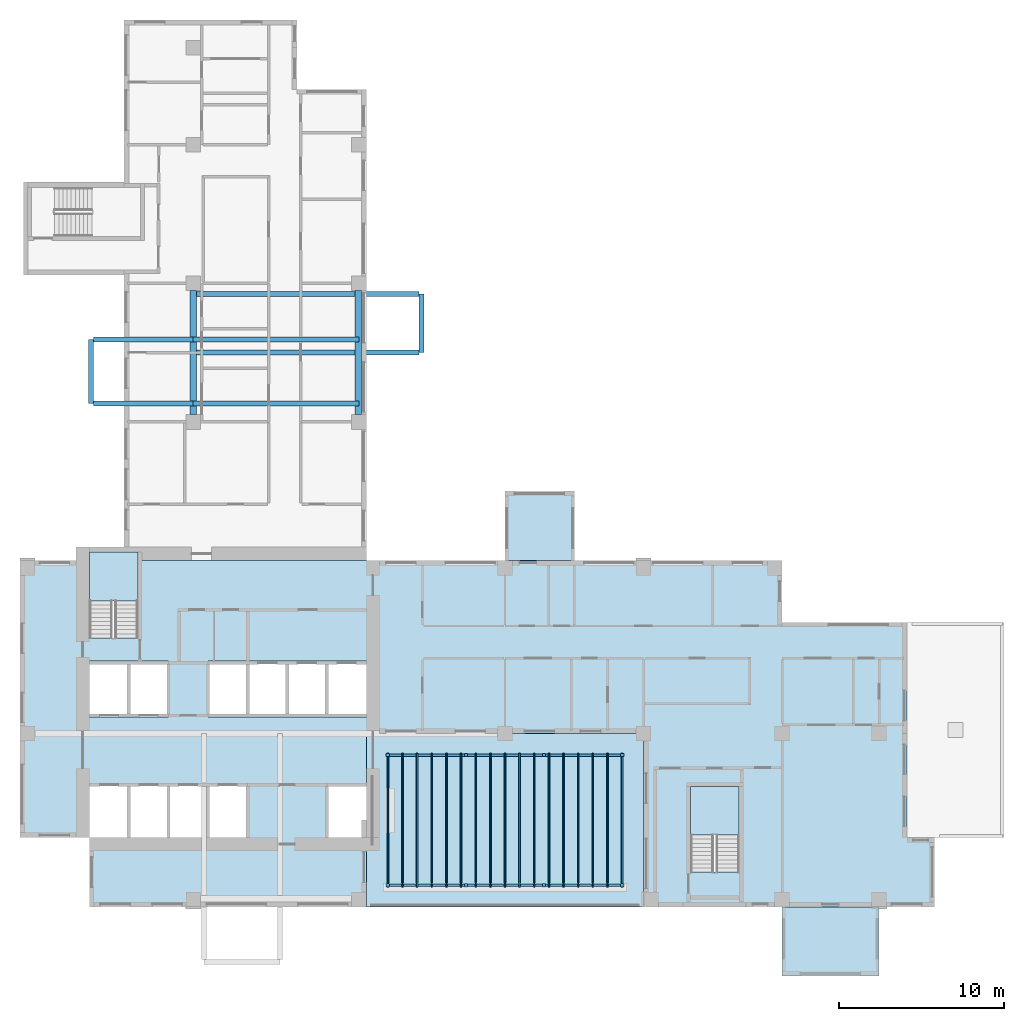
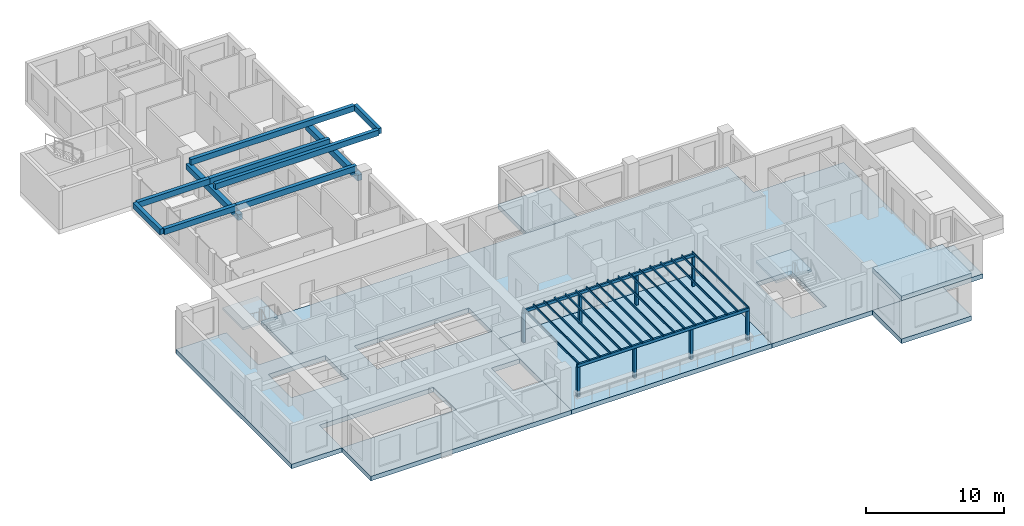
# One storey, part 2 of 13: 27 members, 10 beams, 7 slabs, 2 elements without a shape of their own.
"""IFC4 building model written with IfcOpenShell, lengths in metres."""

from ifc_helpers import new_model, si_unit, direction, frame, origin, origin_2d, place, context, subcontext, project, spatial, polyline, rectangle, outline, extrude, source, transform, mapped, material, layer, layer_set, material_profile, profile_set, type_object, element, aggregate, save


model = new_model("IFC4")

# Units and contexts
model_context = context("Model", 3, precision=1e-05, world=origin(), true_north=direction((0.0, 1.0)))
body_context = subcontext(model_context, "Body", "Model", "MODEL_VIEW")
ifc_project = project(units=[si_unit("LENGTHUNIT", "METRE"), si_unit("AREAUNIT", "SQUARE_METRE"), si_unit("VOLUMEUNIT", "CUBIC_METRE"), si_unit("PLANEANGLEUNIT", "RADIAN"), si_unit("MASSUNIT", "GRAM", prefix="KILO")], contexts=[model_context])

# Site, building, storey
site_placement = place(None, origin())
site = spatial("IfcSite", under=ifc_project, at=site_placement, CompositionType="ELEMENT")
building_placement = place(site_placement, origin())
building = spatial("IfcBuilding", under=site, at=building_placement, Name="Aurelian Terraces", CompositionType="ELEMENT")
storey_placement = place(building_placement, frame((0.0, 0.0, 204.4)))
storey = spatial("IfcBuildingStorey", under=building, at=storey_placement, Name="L45", CompositionType="ELEMENT", Elevation=204.4)

# Beams
ifc_material_1 = material(Name="Concrete fc' 40 MPa", Category="concrete")
ifc_material_profile_1 = material_profile(ifc_material_1, rectangle(XDim=0.3, YDim=0.5, at=origin_2d()))
ifc_profile_set_1 = profile_set([ifc_material_profile_1], Name="Concrete fc' 40 MPa")
beam_type_1 = type_object("IfcBeamType", Name="CONCRETE BOX CANTILEVER BEAM 300X500", PredefinedType="BEAM", material=ifc_profile_set_1)
shared_shape_1 = source(origin(), body_context, "Body", "SweptSolid", [
    extrude(rectangle(XDim=0.3, YDim=0.5, at=origin_2d()), origin(), (0.0, 0.0, 1.0), 6.05),
])
for number, where, z_axis, x_axis, name in (
    (1, (4.45, 30.5, 3.15), (1.0, 0.0, 0.0), (0.0, 1.0, 0.0), "Box cantilever beam J66.1"),
    (2, (4.45, 34.4, 3.15), (1.0, 0.0, 0.0), (0.0, 1.0, 0.0), "Box cantilever beam J66.2"),
):
    element("IfcBeam", number, at=place(storey_placement, frame(where, z_axis=z_axis, x_axis=x_axis)), inside=storey, type_object=beam_type_1, Name=name, PredefinedType="BEAM", context=body_context, shape_type="MappedRepresentation", body=[
        mapped(shared_shape_1, transform((0.0, 0.0, 0.0), scale=1.0)),
    ])
ifc_material_profile_2 = material_profile(ifc_material_1, rectangle(XDim=0.3, YDim=0.5, at=origin_2d()))
ifc_profile_set_2 = profile_set([ifc_material_profile_2], Name="Concrete fc' 40 MPa")
beam_type_2 = type_object("IfcBeamType", Name="CONCRETE CANTILEVER BEAM 300X500", PredefinedType="BEAM", material=ifc_profile_set_2)
shared_shape_2 = source(origin(), body_context, "Body", "SweptSolid", [
    extrude(rectangle(XDim=0.3, YDim=0.5, at=origin_2d()), origin(), (0.0, 0.0, 1.0), 3.9),
])
beam_1_placement = place(storey_placement, frame((4.3, 30.5, 3.15), z_axis=(0.0, 1.0, 0.0), x_axis=(-1.0, 0.0, 0.0)))
element("IfcBeam", 3, at=beam_1_placement, inside=storey, type_object=beam_type_2, Name="Box tip beam J66", PredefinedType="BEAM", context=body_context, shape_type="MappedRepresentation", body=[
    mapped(shared_shape_2, transform((0.0, 0.0, 0.0), scale=1.0)),
])
shared_shape_3 = source(origin(), body_context, "Body", "SweptSolid", [
    extrude(rectangle(XDim=0.3, YDim=0.5, at=origin_2d()), origin(), (0.0, 0.0, 1.0), 13.7),
])
for number, where, z_axis, x_axis, name in (
    (4, (24.2, 33.6, 3.15), (-1.0, 0.0, 0.0), (0.0, -1.0, 0.0), "Box cantilever beam J65.1"),
    (5, (24.2, 37.15, 3.15), (-1.0, 0.0, 0.0), (0.0, -1.0, 0.0), "Box cantilever beam J65.2"),
):
    element("IfcBeam", number, at=place(storey_placement, frame(where, z_axis=z_axis, x_axis=x_axis)), inside=storey, type_object=beam_type_2, Name=name, PredefinedType="BEAM", context=body_context, shape_type="MappedRepresentation", body=[
        mapped(shared_shape_3, transform((0.0, 0.0, 0.0), scale=1.0)),
    ])
ifc_material_profile_3 = material_profile(ifc_material_1, rectangle(XDim=0.4, YDim=0.5, at=origin_2d()))
ifc_profile_set_3 = profile_set([ifc_material_profile_3], Name="Concrete fc' 40 MPa")
beam_type_3 = type_object("IfcBeamType", Name="CONCRETE EDGE GIRDER 400X500", PredefinedType="BEAM", material=ifc_profile_set_3)
shared_shape_4 = source(origin(), body_context, "Body", "SweptSolid", [
    extrude(rectangle(XDim=0.4, YDim=0.5, at=origin_2d()), origin(), (0.0, 0.0, 1.0), 7.5),
])
for number, where, z_axis, x_axis, name in (
    (6, (20.5, 29.85, 2.65), (0.0, 1.0, 0.0), (-1.0, 0.0, 0.0), "Box girder L45 O132"),
    (7, (10.5, 29.85, 2.65), (0.0, 1.0, 0.0), (-1.0, 0.0, 0.0), "Box girder L45 I133"),
):
    element("IfcBeam", number, at=place(storey_placement, frame(where, z_axis=z_axis, x_axis=x_axis)), inside=storey, type_object=beam_type_3, Name=name, PredefinedType="BEAM", context=body_context, shape_type="MappedRepresentation", body=[
        mapped(shared_shape_4, transform((0.0, 0.0, 0.0), scale=1.0)),
    ])
shared_shape_5 = source(origin(), body_context, "Body", "SweptSolid", [
    extrude(rectangle(XDim=0.3, YDim=0.5, at=origin_2d()), origin(), (0.0, 0.0, 1.0), 3.55),
])
beam_2_placement = place(storey_placement, frame((24.35, 33.6, 3.15), z_axis=(0.0, 1.0, 0.0), x_axis=(-1.0, 0.0, 0.0)))
element("IfcBeam", 8, at=beam_2_placement, inside=storey, type_object=beam_type_2, Name="Box tip beam J65", PredefinedType="BEAM", context=body_context, shape_type="MappedRepresentation", body=[
    mapped(shared_shape_5, transform((0.0, 0.0, 0.0), scale=1.0)),
])
shared_shape_6 = source(origin(), body_context, "Body", "SweptSolid", [
    extrude(rectangle(XDim=0.3, YDim=0.5, at=origin_2d()), origin(), (0.0, 0.0, 1.0), 10.05),
])
for number, where, z_axis, x_axis, name in (
    (9, (10.5, 30.5, 3.15), (1.0, 0.0, 0.0), (0.0, 1.0, 0.0), "Box back-span beam J66.1"),
    (10, (10.5, 34.4, 3.15), (1.0, 0.0, 0.0), (0.0, 1.0, 0.0), "Box back-span beam J66.2"),
):
    element("IfcBeam", number, at=place(storey_placement, frame(where, z_axis=z_axis, x_axis=x_axis)), inside=storey, type_object=beam_type_2, Name=name, PredefinedType="BEAM", context=body_context, shape_type="MappedRepresentation", body=[
        mapped(shared_shape_6, transform((0.0, 0.0, 0.0), scale=1.0)),
    ])

# Members
ifc_material_2 = material(Name="Anodised aluminium", Category="aluminium")
ifc_material_profile_4 = material_profile(ifc_material_2, rectangle(XDim=0.2, YDim=0.2, at=origin_2d()))
ifc_profile_set_4 = profile_set([ifc_material_profile_4], Name="Anodised aluminium")
member_type_1 = type_object("IfcMemberType", Name="PERGOLA POST 200X200", PredefinedType="POST", material=ifc_profile_set_4)
shared_shape_7 = source(origin(), body_context, "Body", "SweptSolid", [
    extrude(rectangle(XDim=0.2, YDim=0.2, at=origin_2d()), origin(), (0.0, 0.0, 1.0), 2.6),
])
for number, where, z_axis, x_axis, name in (
    (11, (22.3, 1.3, 0.0), (0.0, 0.0, 1.0), (1.0, 0.0, 0.0), "Pergola post L45 SKY-07-T1.1.1"),
    (12, (22.3, 9.2, 0.0), (0.0, 0.0, 1.0), (1.0, 0.0, 0.0), "Pergola post L45 SKY-07-T1.1.2"),
    (13, (27.0333, 1.3, 0.0), (0.0, 0.0, 1.0), (1.0, 0.0, 0.0), "Pergola post L45 SKY-07-T1.2.1"),
    (14, (27.0333, 9.2, 0.0), (0.0, 0.0, 1.0), (1.0, 0.0, 0.0), "Pergola post L45 SKY-07-T1.2.2"),
    (15, (31.7667, 1.3, 0.0), (0.0, 0.0, 1.0), (1.0, 0.0, 0.0), "Pergola post L45 SKY-07-T1.3.1"),
    (16, (31.7667, 9.2, 0.0), (0.0, 0.0, 1.0), (1.0, 0.0, 0.0), "Pergola post L45 SKY-07-T1.3.2"),
    (17, (36.5, 1.3, 0.0), (0.0, 0.0, 1.0), (1.0, 0.0, 0.0), "Pergola post L45 SKY-07-T1.4.1"),
    (18, (36.5, 9.2, 0.0), (0.0, 0.0, 1.0), (1.0, 0.0, 0.0), "Pergola post L45 SKY-07-T1.4.2"),
):
    element("IfcMember", number, at=place(storey_placement, frame(where, z_axis=z_axis, x_axis=x_axis)), inside=storey, type_object=member_type_1, Name=name, PredefinedType="POST", context=body_context, shape_type="MappedRepresentation", body=[
        mapped(shared_shape_7, transform((0.0, 0.0, 0.0), scale=1.0)),
    ])
ifc_material_profile_5 = material_profile(ifc_material_2, rectangle(XDim=0.15, YDim=0.25, at=origin_2d()))
ifc_profile_set_5 = profile_set([ifc_material_profile_5], Name="Anodised aluminium")
member_type_2 = type_object("IfcMemberType", Name="PERGOLA BEAM 150X250", PredefinedType="PURLIN", material=ifc_profile_set_5)
shared_shape_8 = source(origin(), body_context, "Body", "SweptSolid", [
    extrude(rectangle(XDim=0.15, YDim=0.25, at=origin_2d()), origin(), (0.0, 0.0, 1.0), 14.4),
])
for number, where, z_axis, x_axis, name in (
    (19, (22.2, 1.3, 2.725), (1.0, 0.0, 0.0), (0.0, 1.0, 0.0), "Pergola beam L45 SKY-07-T1.1"),
    (20, (22.2, 9.2, 2.725), (1.0, 0.0, 0.0), (0.0, 1.0, 0.0), "Pergola beam L45 SKY-07-T1.2"),
):
    element("IfcMember", number, at=place(storey_placement, frame(where, z_axis=z_axis, x_axis=x_axis)), inside=storey, type_object=member_type_2, Name=name, PredefinedType="PURLIN", context=body_context, shape_type="MappedRepresentation", body=[
        mapped(shared_shape_8, transform((0.0, 0.0, 0.0), scale=1.0)),
    ])
ifc_material_profile_6 = material_profile(ifc_material_2, rectangle(XDim=0.08, YDim=0.15, at=origin_2d()))
ifc_profile_set_6 = profile_set([ifc_material_profile_6], Name="Anodised aluminium")
member_type_3 = type_object("IfcMemberType", Name="PERGOLA RAFTER 80X150", PredefinedType="RAFTER", material=ifc_profile_set_6)
shared_shape_9 = source(origin(), body_context, "Body", "SweptSolid", [
    extrude(rectangle(XDim=0.08, YDim=0.15, at=origin_2d()), origin(), (0.0, 0.0, 1.0), 8.1),
])
for number, where, z_axis, x_axis, name in (
    (21, (22.3, 1.2, 2.925), (0.0, 1.0, 0.0), (-1.0, 0.0, 0.0), "Pergola rafter L45 SKY-07-T1.1"),
    (22, (23.1875, 1.2, 2.925), (0.0, 1.0, 0.0), (-1.0, 0.0, 0.0), "Pergola rafter L45 SKY-07-T1.2"),
    (23, (24.075, 1.2, 2.925), (0.0, 1.0, 0.0), (-1.0, 0.0, 0.0), "Pergola rafter L45 SKY-07-T1.3"),
    (24, (24.9625, 1.2, 2.925), (0.0, 1.0, 0.0), (-1.0, 0.0, 0.0), "Pergola rafter L45 SKY-07-T1.4"),
    (25, (25.85, 1.2, 2.925), (0.0, 1.0, 0.0), (-1.0, 0.0, 0.0), "Pergola rafter L45 SKY-07-T1.5"),
    (26, (26.7375, 1.2, 2.925), (0.0, 1.0, 0.0), (-1.0, 0.0, 0.0), "Pergola rafter L45 SKY-07-T1.6"),
    (27, (27.625, 1.2, 2.925), (0.0, 1.0, 0.0), (-1.0, 0.0, 0.0), "Pergola rafter L45 SKY-07-T1.7"),
    (28, (28.5125, 1.2, 2.925), (0.0, 1.0, 0.0), (-1.0, 0.0, 0.0), "Pergola rafter L45 SKY-07-T1.8"),
    (29, (29.4, 1.2, 2.925), (0.0, 1.0, 0.0), (-1.0, 0.0, 0.0), "Pergola rafter L45 SKY-07-T1.9"),
    (30, (30.2875, 1.2, 2.925), (0.0, 1.0, 0.0), (-1.0, 0.0, 0.0), "Pergola rafter L45 SKY-07-T1.10"),
    (31, (31.175, 1.2, 2.925), (0.0, 1.0, 0.0), (-1.0, 0.0, 0.0), "Pergola rafter L45 SKY-07-T1.11"),
    (32, (32.0625, 1.2, 2.925), (0.0, 1.0, 0.0), (-1.0, 0.0, 0.0), "Pergola rafter L45 SKY-07-T1.12"),
    (33, (32.95, 1.2, 2.925), (0.0, 1.0, 0.0), (-1.0, 0.0, 0.0), "Pergola rafter L45 SKY-07-T1.13"),
    (34, (33.8375, 1.2, 2.925), (0.0, 1.0, 0.0), (-1.0, 0.0, 0.0), "Pergola rafter L45 SKY-07-T1.14"),
    (35, (34.725, 1.2, 2.925), (0.0, 1.0, 0.0), (-1.0, 0.0, 0.0), "Pergola rafter L45 SKY-07-T1.15"),
    (36, (35.6125, 1.2, 2.925), (0.0, 1.0, 0.0), (-1.0, 0.0, 0.0), "Pergola rafter L45 SKY-07-T1.16"),
    (37, (36.5, 1.2, 2.925), (0.0, 1.0, 0.0), (-1.0, 0.0, 0.0), "Pergola rafter L45 SKY-07-T1.17"),
):
    element("IfcMember", number, at=place(storey_placement, frame(where, z_axis=z_axis, x_axis=x_axis)), inside=storey, type_object=member_type_3, Name=name, PredefinedType="RAFTER", context=body_context, shape_type="MappedRepresentation", body=[
        mapped(shared_shape_9, transform((0.0, 0.0, 0.0), scale=1.0)),
    ])

# Slabs
ifc_layer_1 = layer(ifc_material_1, 0.4)
ifc_layer_set_1 = layer_set([ifc_layer_1], Name="PT FLAT PLATE 400")
slab_type_1 = type_object("IfcSlabType", Name="PT FLAT PLATE 400", PredefinedType="FLOOR", material=ifc_layer_set_1)
slab_1_placement = place(storey_placement, frame((0.0, 0.0, -0.4)))
element("IfcSlab", 38, at=slab_1_placement, inside=storey, type_object=slab_type_1, Name="Floor slab S L45", PredefinedType="FLOOR", context=body_context, shape_type="SweptSolid", body=[
    extrude(outline(polyline([(37.8, 10.5), (21.0, 10.5), (21.0, 0.0), (4.2, 0.0), (4.2, 4.2), (0.0, 4.2), (0.0, 21.0), (4.21, 21.0), (4.21, 16.31), (7.14, 16.31), (7.14, 21.0), (21.0, 21.0), (46.2, 21.0), (46.2, 17.25), (53.76, 17.25), (53.76, 4.2), (55.44, 4.2), (55.44, 0.0), (37.8, 0.0), (37.8, 10.5)]), holes=[polyline([(40.66, 2.11), (43.59, 2.11), (43.59, 7.29), (40.66, 7.29), (40.66, 2.11)]), polyline([(18.61, 7.49), (18.61, 4.21), (20.99, 4.21), (20.99, 7.49), (18.61, 7.49)]), polyline([(20.99, 14.89), (11.41, 14.89), (11.41, 11.51), (20.99, 11.51), (20.99, 14.89)]), polyline([(4.21, 7.49), (4.21, 4.21), (13.79, 4.21), (13.79, 7.49), (4.21, 7.49)]), polyline([(4.21, 14.89), (4.21, 11.51), (8.99, 11.51), (8.99, 14.89), (4.21, 14.89)])]), origin(), (0.0, 0.0, 1.0), 0.4),
])
ifc_layer_2 = layer(ifc_material_1, 0.41)
ifc_layer_set_2 = layer_set([ifc_layer_2], Name="Box floor 410")
slab_type_2 = type_object("IfcSlabType", Name="Box floor 410", PredefinedType="NOTDEFINED", material=ifc_layer_set_2)
shared_shape_10 = source(origin(), body_context, "Body", "SweptSolid", [
    extrude(outline(polyline([(46.2, -4.2), (52.08, -4.2), (52.08, 0.0), (46.2, 0.0), (46.2, -4.2)])), origin(), (0.0, 0.0, 1.0), 0.41),
])
slab_2_placement = place(storey_placement, frame((0.0, 0.0, -0.41)))
element("IfcSlab", 39, at=slab_2_placement, inside=storey, type_object=slab_type_2, Name="Box floor L45 J62", PredefinedType="NOTDEFINED", context=body_context, shape_type="MappedRepresentation", body=[
    mapped(shared_shape_10, transform((0.0, 0.0, 0.0), scale=1.0)),
])
ifc_layer_3 = layer(ifc_material_1, 0.4)
ifc_layer_set_3 = layer_set([ifc_layer_3], Name="Box roof 400")
slab_type_3 = type_object("IfcSlabType", Name="Box roof 400", PredefinedType="ROOF", material=ifc_layer_set_3)
shared_shape_11 = source(origin(), body_context, "Body", "SweptSolid", [
    extrude(outline(polyline([(46.2, -4.2), (52.08, -4.2), (52.08, 0.0), (46.2, 0.0), (46.2, -4.2)])), origin(), (0.0, 0.0, 1.0), 0.4),
])
slab_3_placement = place(storey_placement, frame((0.0, 0.0, 3.4)))
element("IfcSlab", 40, at=slab_3_placement, inside=storey, type_object=slab_type_3, Name="Box roof J62", PredefinedType="ROOF", context=body_context, shape_type="MappedRepresentation", body=[
    mapped(shared_shape_11, transform((0.0, 0.0, 0.0), scale=1.0)),
])
ifc_layer_4 = layer(ifc_material_1, 0.4001)
ifc_layer_set_4 = layer_set([ifc_layer_4], Name="Terrace slab 400")
slab_type_4 = type_object("IfcSlabType", Name="Terrace slab 400", PredefinedType="NOTDEFINED", material=ifc_layer_set_4)
shared_shape_12 = source(origin(), body_context, "Body", "SweptSolid", [
    extrude(outline(polyline([(37.8, 10.5), (37.8, 0.0), (21.0, 0.0), (21.0, 10.5), (37.8, 10.5)])), origin(), (0.0, 0.0, 1.0), 0.4001),
])
slab_4_placement = place(storey_placement, frame((0.0, 0.0, -0.4001)))
element("IfcSlab", 41, at=slab_4_placement, inside=storey, type_object=slab_type_4, Name="Sky terrace L45 SKY-07-T1", PredefinedType="NOTDEFINED", context=body_context, shape_type="MappedRepresentation", body=[
    mapped(shared_shape_12, transform((0.0, 0.0, 0.0), scale=1.0)),
])
shared_shape_13 = source(origin(), body_context, "Body", "SweptSolid", [
    extrude(outline(polyline([(33.6, 25.2), (29.4, 25.2), (29.4, 21.0), (33.6, 21.0), (33.6, 25.2)])), origin(), (0.0, 0.0, 1.0), 0.41),
])
slab_5_placement = place(storey_placement, frame((0.0, 0.0, -0.41)))
element("IfcSlab", 42, at=slab_5_placement, inside=storey, type_object=slab_type_2, Name="Box floor L45 J63", PredefinedType="NOTDEFINED", context=body_context, shape_type="MappedRepresentation", body=[
    mapped(shared_shape_13, transform((0.0, 0.0, 0.0), scale=1.0)),
])

# Stair, slab
stair_type = type_object("IfcStairType", Name="Stair 1400", PredefinedType="HALF_TURN_STAIR", material=ifc_material_1)
stair_1_placement = place(storey_placement, origin())
stair_1 = element("IfcStair", 43, at=stair_1_placement, inside=storey, type_object=stair_type, Name="L45 S1", PredefinedType="HALF_TURN_STAIR")
ifc_layer_5 = layer(ifc_material_1, 0.2)
ifc_layer_set_5 = layer_set([ifc_layer_5], Name="Stair landing 200")
slab_type_5 = type_object("IfcSlabType", Name="Stair landing 200", PredefinedType="LANDING", material=ifc_layer_set_5)
shared_shape_14 = source(origin(), body_context, "Body", "SweptSolid", [
    extrude(outline(polyline([(7.15, 18.55), (7.15, 21.5), (4.2, 21.5), (4.2, 18.55), (7.15, 18.55)])), origin(), (0.0, 0.0, 1.0), 0.2),
])
slab_6_placement = place(storey_placement, frame((0.0, 0.0, 1.7)))
slab_6 = element("IfcSlab", 44, at=slab_6_placement, type_object=slab_type_5, Name="S1 landing 1", PredefinedType="LANDING", context=body_context, shape_type="MappedRepresentation", body=[
    mapped(shared_shape_14, transform((0.0, 0.0, 0.0), scale=1.0)),
])
aggregate(stair_1, [slab_6])

stair_2_placement = place(storey_placement, origin())
stair_2 = element("IfcStair", 45, at=stair_2_placement, inside=storey, type_object=stair_type, Name="L45 S2", PredefinedType="HALF_TURN_STAIR")
shared_shape_15 = source(origin(), body_context, "Body", "SweptSolid", [
    extrude(outline(polyline([(43.6, 4.35), (43.6, 7.3), (40.65, 7.3), (40.65, 4.35), (43.6, 4.35)])), origin(), (0.0, 0.0, 1.0), 0.2),
])
slab_7_placement = place(storey_placement, frame((0.0, 0.0, 1.7)))
slab_7 = element("IfcSlab", 46, at=slab_7_placement, type_object=slab_type_5, Name="S2 landing 1", PredefinedType="LANDING", context=body_context, shape_type="MappedRepresentation", body=[
    mapped(shared_shape_15, transform((0.0, 0.0, 0.0), scale=1.0)),
])
aggregate(stair_2, [slab_7])

save(model, "model.ifc")
